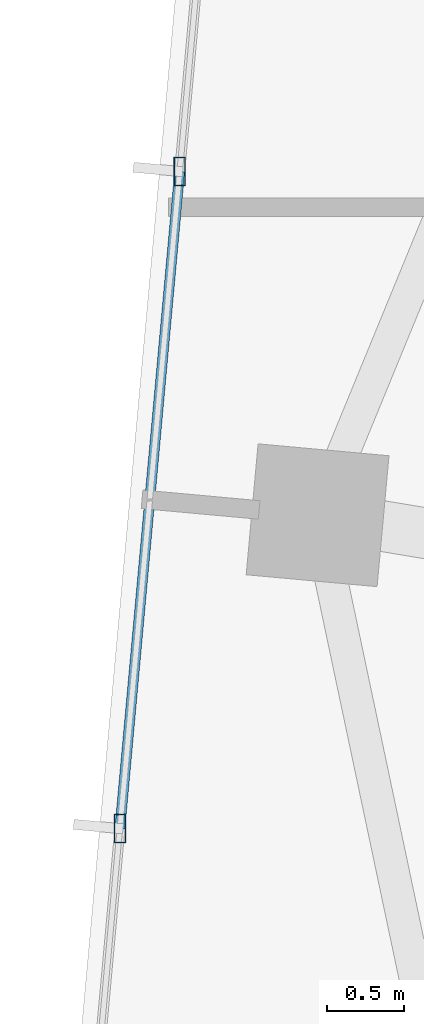
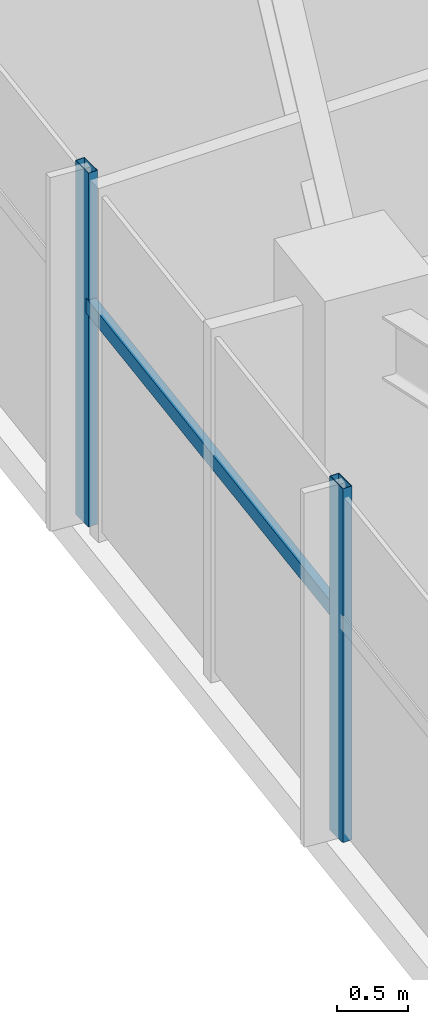
# One storey, part 4 of 22: 3 members, 1 element without a shape of its own.
"""IFC4 building model written with IfcOpenShell, lengths in metres."""

from ifc_helpers import new_model, si_unit, direction, frame, origin, origin_2d, place, context, subcontext, project, spatial, hollow_rectangle, extrude, source, transform, mapped, material, material_profile, profile_set, type_object, type_shapes, element, aggregate, save


model = new_model("IFC4")

# Units and contexts
model_context = context("Model", 3, precision=1e-05, world=origin(), true_north=direction((0.0, 1.0)))
body_context = subcontext(model_context, "Body", "Model", "MODEL_VIEW")
ifc_project = project(units=[si_unit("LENGTHUNIT", "METRE"), si_unit("AREAUNIT", "SQUARE_METRE"), si_unit("VOLUMEUNIT", "CUBIC_METRE"), si_unit("PLANEANGLEUNIT", "RADIAN"), si_unit("MASSUNIT", "GRAM", prefix="KILO")], contexts=[model_context])

# Site, building, storey
site_placement = place(None, origin())
site = spatial("IfcSite", under=ifc_project, at=site_placement, CompositionType="ELEMENT")
building_placement = place(site_placement, origin())
building = spatial("IfcBuilding", under=site, at=building_placement, Name="Astriad Promenade Condominiums", CompositionType="ELEMENT")
storey_placement = place(building_placement, frame((0.0, 0.0, 219.89990234375)))
storey = spatial("IfcBuildingStorey", under=building, at=storey_placement, Name="L63", CompositionType="ELEMENT", Elevation=219.89990234375)

# Curtain wall, members
ifc_material_1 = material(Name="Anodised aluminium Black Dark Glass Unitised", Category="aluminium")
curtain_wall_type = type_object("IfcCurtainWallType", Name="CW-B5-DARK", PredefinedType="USERDEFINED", material=ifc_material_1)
curtain_wall_placement = place(storey_placement, origin())
curtain_wall = element("IfcCurtainWall", 1, at=curtain_wall_placement, inside=storey, type_object=curtain_wall_type, Name="CW-L63-W", ObjectType="UNITISED_CURTAIN_WALL", PredefinedType="USERDEFINED")
ifc_material_2 = material(Name="Anodised aluminium 6063-T6 Black", Category="aluminium")
ifc_material_profile_1 = material_profile(ifc_material_2, hollow_rectangle(XDim=0.06494140625, YDim=0.1298828125, WallThickness=0.00390625, at=origin_2d()), Name="ALU-TRN-65X130")
ifc_profile_set_1 = profile_set([ifc_material_profile_1], Name="Anodised aluminium 6063-T6 Black")
member_type_1 = type_object("IfcMemberType", Name="TRN-ALU-TRN-65X130", PredefinedType="USERDEFINED", material=ifc_profile_set_1)
shared_shape_1 = source(origin(), body_context, "Body", "SweptSolid", [
    extrude(hollow_rectangle(XDim=0.06494140625, YDim=0.1298828125, WallThickness=0.00390625, at=origin_2d()), origin(), (0.0, 0.0, 1.0), 4.266845703125),
])
type_shapes(member_type_1, [shared_shape_1])
member_1_placement = place(storey_placement, frame((9.4326171875, 17.984375, 1.885009765625), z_axis=(0.090577018386, 0.995889453574, 0.0), x_axis=(-0.995889453574, 0.090577018386, 0.0)))
member_1 = element("IfcMember", 2, at=member_1_placement, type_object=member_type_1, Name="CW-L63-W-TRN-01-0", ObjectType="TRANSOM", PredefinedType="USERDEFINED", context=body_context, shape_type="MappedRepresentation", body=[
    mapped(shared_shape_1, transform((0.0, 0.0, 0.0), scale=1.0)),
])
ifc_material_profile_2 = material_profile(ifc_material_2, hollow_rectangle(XDim=0.074951171875, YDim=0.18505859375, WallThickness=0.00439453125, at=origin_2d()), Name="ALU-MUL-75X185")
ifc_profile_set_2 = profile_set([ifc_material_profile_2], Name="Anodised aluminium 6063-T6 Black")
member_type_2 = type_object("IfcMemberType", Name="MUL-ALU-MUL-75X185", PredefinedType="MULLION", material=ifc_profile_set_2)
shared_shape_2 = source(origin(), body_context, "Body", "SweptSolid", [
    extrude(hollow_rectangle(XDim=0.074951171875, YDim=0.18505859375, WallThickness=0.00439453125, at=origin_2d()), origin(), (0.0, 0.0, 1.0), 3.0400390625),
])
type_shapes(member_type_2, [shared_shape_2])
member_2_placement = place(storey_placement, frame((9.4326171875, 17.984375, 0.0), z_axis=(0.0, 0.0, 1.0), x_axis=(1.0, 0.0, 0.0)))
member_2 = element("IfcMember", 3, at=member_2_placement, type_object=member_type_2, Name="CW-L63-W-MUL-01", PredefinedType="MULLION", context=body_context, shape_type="MappedRepresentation", body=[
    mapped(shared_shape_2, transform((0.0, 0.0, 0.0), scale=1.0)),
])
member_3_placement = place(storey_placement, frame((9.819091796875, 22.233642578125, 0.0), z_axis=(0.0, 0.0, 1.0), x_axis=(1.0, 0.0, 0.0)))
member_3 = element("IfcMember", 4, at=member_3_placement, type_object=member_type_2, Name="CW-L63-W-MUL-02", PredefinedType="MULLION", context=body_context, shape_type="MappedRepresentation", body=[
    mapped(shared_shape_2, transform((0.0, 0.0, 0.0), scale=1.0)),
])
aggregate(curtain_wall, [member_2, member_3, member_1])

save(model, "model.ifc")
